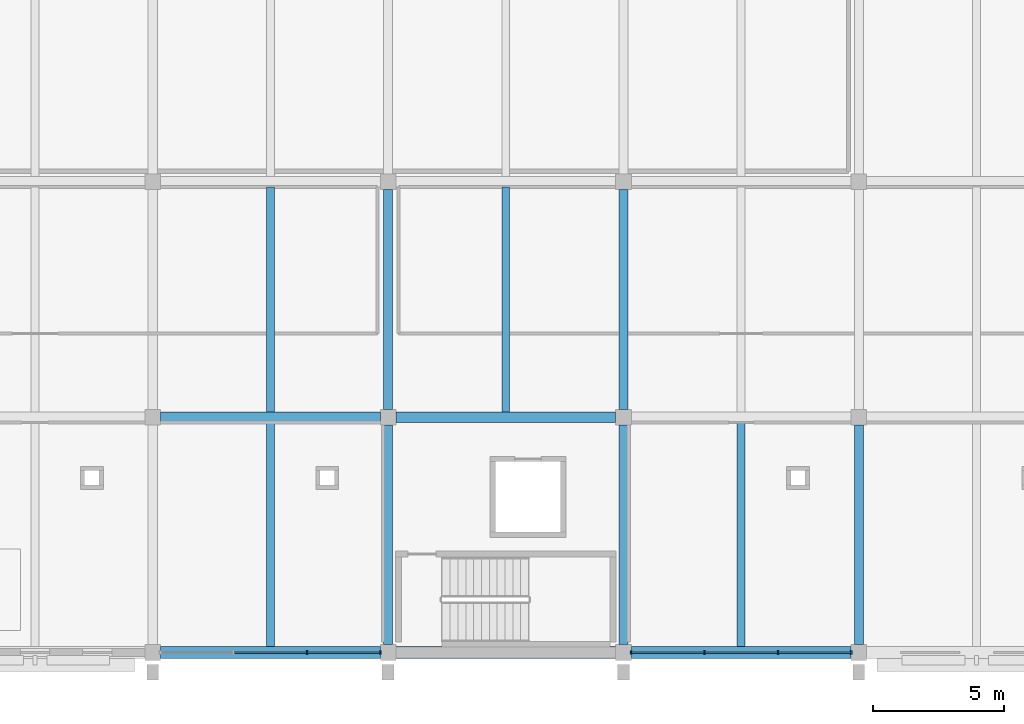
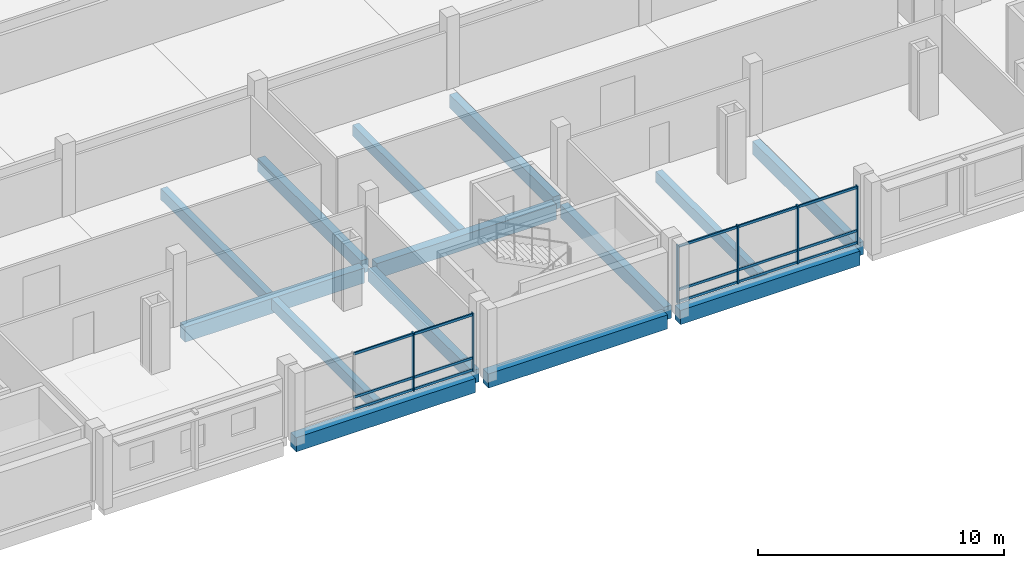
# One storey, part 11 of 163: 21 members, 14 beams, 2 elements without a shape of their own.
"""IFC4 building model written with IfcOpenShell, lengths in metres."""

from ifc_helpers import new_model, si_unit, direction, frame, origin, origin_2d, place, context, subcontext, project, spatial, rectangle, extrude, material, material_profile, profile_set, type_object, element, aggregate, save


model = new_model("IFC4")

# Units and contexts
model_context = context("Model", 3, precision=1e-05, world=origin(), true_north=direction((0.0, 1.0)))
body_context = subcontext(model_context, "Body", "Model", "MODEL_VIEW")
ifc_project = project(units=[si_unit("LENGTHUNIT", "METRE"), si_unit("AREAUNIT", "SQUARE_METRE"), si_unit("VOLUMEUNIT", "CUBIC_METRE"), si_unit("PLANEANGLEUNIT", "RADIAN"), si_unit("MASSUNIT", "GRAM", prefix="KILO")], contexts=[model_context])

# Site, building, storey
site_placement = place(None, origin())
site = spatial("IfcSite", under=ifc_project, at=site_placement, CompositionType="ELEMENT")
building_placement = place(site_placement, origin())
building = spatial("IfcBuilding", under=site, at=building_placement, Name="Tharagai Park Tramway Depot", CompositionType="ELEMENT")
storey_placement = place(building_placement, frame((0.0, 0.0, 8.39990234375)))
storey = spatial("IfcBuildingStorey", under=building, at=storey_placement, Name="L02", CompositionType="ELEMENT", Elevation=8.39990234375)

# Beams
ifc_material_1 = material(Name="Concrete M35", Category="concrete")
ifc_material_profile_1 = material_profile(ifc_material_1, rectangle(XDim=0.35009765625, YDim=0.64990234375, at=origin_2d()), Name="RC 350x650")
ifc_profile_set_1 = profile_set([ifc_material_profile_1], Name="Concrete M35")
beam_type_1 = type_object("IfcBeamType", Name="BM-13", PredefinedType="BEAM", material=ifc_profile_set_1)
for number, where, z_axis, x_axis, name in (
    (1, (36.0, 0.300048828125, -0.574951171875), (0.0, 1.0, 0.0), (-1.0, 0.0, 0.0), "L02 Grid Beam BM-13"),
    (2, (36.0, 9.300048828125, -0.574951171875), (0.0, 1.0, 0.0), (-1.0, 0.0, 0.0), "L02 Grid Beam BM-13"),
    (3, (45.0, 0.300048828125, -0.574951171875), (0.0, 1.0, 0.0), (-1.0, 0.0, 0.0), "L02 Grid Beam BM-13"),
    (4, (45.0, 9.300048828125, -0.574951171875), (0.0, 1.0, 0.0), (-1.0, 0.0, 0.0), "L02 Grid Beam BM-13"),
    (5, (54.0, 0.300048828125, -0.574951171875), (0.0, 1.0, 0.0), (-1.0, 0.0, 0.0), "L02 Grid Beam BM-13"),
):
    element("IfcBeam", number, at=place(storey_placement, frame(where, z_axis=z_axis, x_axis=x_axis)), inside=storey, type_object=beam_type_1, Name=name, PredefinedType="BEAM", context=body_context, shape_type="SweptSolid", body=[
        extrude(rectangle(XDim=0.35009765625, YDim=0.64990234375, at=origin_2d()), origin(), (0.0, 0.0, 1.0), 8.39990234375),
    ])
ifc_material_profile_2 = material_profile(ifc_material_1, rectangle(XDim=0.39990234375, YDim=0.75, at=origin_2d()), Name="RC 400x750")
ifc_profile_set_2 = profile_set([ifc_material_profile_2], Name="Concrete M35")
beam_type_2 = type_object("IfcBeamType", Name="BM-19", PredefinedType="BEAM", material=ifc_profile_set_2)
for number, where, z_axis, x_axis, name in (
    (6, (27.300048828125, 9.0, -0.625), (1.0, 0.0, 0.0), (0.0, 1.0, 0.0), "L02 Grid Beam BM-19"),
    (7, (36.300048828125, 9.0, -0.625), (1.0, 0.0, 0.0), (0.0, 1.0, 0.0), "L02 Grid Beam BM-19"),
):
    element("IfcBeam", number, at=place(storey_placement, frame(where, z_axis=z_axis, x_axis=x_axis)), inside=storey, type_object=beam_type_2, Name=name, PredefinedType="BEAM", context=body_context, shape_type="SweptSolid", body=[
        extrude(rectangle(XDim=0.39990234375, YDim=0.75, at=origin_2d()), origin(), (0.0, 0.0, 1.0), 8.39990234375),
    ])

# Curtain wall, members
ifc_material_2 = material(Name="Anodised aluminium", Category="aluminium")
curtain_wall_type = type_object("IfcCurtainWallType", Name="CW-02", PredefinedType="NOTDEFINED", material=ifc_material_2)
curtain_wall_1_placement = place(storey_placement, origin())
curtain_wall_1 = element("IfcCurtainWall", 8, at=curtain_wall_1_placement, inside=storey, type_object=curtain_wall_type, Name="L02 V4 Gothic Mullioned Curtain Wall CW-02", PredefinedType="NOTDEFINED")
ifc_material_profile_3 = material_profile(ifc_material_2, rectangle(XDim=0.06494140625, YDim=0.1201171875, at=origin_2d()), Name="ALU 65x120")
ifc_profile_set_3 = profile_set([ifc_material_profile_3], Name="Anodised aluminium")
member_type_1 = type_object("IfcMemberType", Name="CM-01", PredefinedType="USERDEFINED", material=ifc_profile_set_3)
member_1_placement = place(storey_placement, frame((30.111572265625, 0.0, 0.06005859375), z_axis=(1.0, 0.0, 0.0), x_axis=(0.0, 1.0, 0.0)))
member_1 = element("IfcMember", 9, at=member_1_placement, type_object=member_type_1, Name="L02 V4 Gothic Mullioned Curtain Wall Transom 2.1", ObjectType="TRANSOM", PredefinedType="USERDEFINED", context=body_context, shape_type="SweptSolid", body=[
    extrude(rectangle(XDim=0.06494140625, YDim=0.1201171875, at=origin_2d()), origin(), (0.0, 0.0, 1.0), 2.77685546875),
])
member_2_placement = place(storey_placement, frame((30.111572265625, 0.0, 0.650146484375), z_axis=(1.0, 0.0, 0.0), x_axis=(0.0, 1.0, 0.0)))
member_2 = element("IfcMember", 10, at=member_2_placement, type_object=member_type_1, Name="L02 V4 Gothic Mullioned Curtain Wall Transom 2.2", ObjectType="TRANSOM", PredefinedType="USERDEFINED", context=body_context, shape_type="SweptSolid", body=[
    extrude(rectangle(XDim=0.06494140625, YDim=0.1201171875, at=origin_2d()), origin(), (0.0, 0.0, 1.0), 2.77685546875),
])
member_3_placement = place(storey_placement, frame((30.111572265625, 0.0, 2.7900390625), z_axis=(1.0, 0.0, 0.0), x_axis=(0.0, 1.0, 0.0)))
member_3 = element("IfcMember", 11, at=member_3_placement, type_object=member_type_1, Name="L02 V4 Gothic Mullioned Curtain Wall Transom 2.3", ObjectType="TRANSOM", PredefinedType="USERDEFINED", context=body_context, shape_type="SweptSolid", body=[
    extrude(rectangle(XDim=0.06494140625, YDim=0.1201171875, at=origin_2d()), origin(), (0.0, 0.0, 1.0), 2.77685546875),
])
member_4_placement = place(storey_placement, frame((32.918212890625, 0.0, 0.06005859375), z_axis=(1.0, 0.0, 0.0), x_axis=(0.0, 1.0, 0.0)))
member_4 = element("IfcMember", 12, at=member_4_placement, type_object=member_type_1, Name="L02 V4 Gothic Mullioned Curtain Wall Transom 3.1", ObjectType="TRANSOM", PredefinedType="USERDEFINED", context=body_context, shape_type="SweptSolid", body=[
    extrude(rectangle(XDim=0.06494140625, YDim=0.1201171875, at=origin_2d()), origin(), (0.0, 0.0, 1.0), 2.77685546875),
])
member_5_placement = place(storey_placement, frame((32.918212890625, 0.0, 0.650146484375), z_axis=(1.0, 0.0, 0.0), x_axis=(0.0, 1.0, 0.0)))
member_5 = element("IfcMember", 13, at=member_5_placement, type_object=member_type_1, Name="L02 V4 Gothic Mullioned Curtain Wall Transom 3.2", ObjectType="TRANSOM", PredefinedType="USERDEFINED", context=body_context, shape_type="SweptSolid", body=[
    extrude(rectangle(XDim=0.06494140625, YDim=0.1201171875, at=origin_2d()), origin(), (0.0, 0.0, 1.0), 2.77685546875),
])
member_6_placement = place(storey_placement, frame((32.918212890625, 0.0, 2.7900390625), z_axis=(1.0, 0.0, 0.0), x_axis=(0.0, 1.0, 0.0)))
member_6 = element("IfcMember", 14, at=member_6_placement, type_object=member_type_1, Name="L02 V4 Gothic Mullioned Curtain Wall Transom 3.3", ObjectType="TRANSOM", PredefinedType="USERDEFINED", context=body_context, shape_type="SweptSolid", body=[
    extrude(rectangle(XDim=0.06494140625, YDim=0.1201171875, at=origin_2d()), origin(), (0.0, 0.0, 1.0), 2.77685546875),
])

curtain_wall_2_placement = place(storey_placement, origin())
curtain_wall_2 = element("IfcCurtainWall", 15, at=curtain_wall_2_placement, inside=storey, type_object=curtain_wall_type, Name="L02 V4 Gothic Mullioned Curtain Wall CW-02", PredefinedType="NOTDEFINED")
member_7_placement = place(storey_placement, frame((45.304931640625, 0.0, 0.06005859375), z_axis=(1.0, 0.0, 0.0), x_axis=(0.0, 1.0, 0.0)))
member_7 = element("IfcMember", 16, at=member_7_placement, type_object=member_type_1, Name="L02 V4 Gothic Mullioned Curtain Wall Transom 1.1", ObjectType="TRANSOM", PredefinedType="USERDEFINED", context=body_context, shape_type="SweptSolid", body=[
    extrude(rectangle(XDim=0.06494140625, YDim=0.1201171875, at=origin_2d()), origin(), (0.0, 0.0, 1.0), 2.77685546875),
])
member_8_placement = place(storey_placement, frame((45.304931640625, 0.0, 0.650146484375), z_axis=(1.0, 0.0, 0.0), x_axis=(0.0, 1.0, 0.0)))
member_8 = element("IfcMember", 17, at=member_8_placement, type_object=member_type_1, Name="L02 V4 Gothic Mullioned Curtain Wall Transom 1.2", ObjectType="TRANSOM", PredefinedType="USERDEFINED", context=body_context, shape_type="SweptSolid", body=[
    extrude(rectangle(XDim=0.06494140625, YDim=0.1201171875, at=origin_2d()), origin(), (0.0, 0.0, 1.0), 2.77685546875),
])
member_9_placement = place(storey_placement, frame((45.304931640625, 0.0, 2.7900390625), z_axis=(1.0, 0.0, 0.0), x_axis=(0.0, 1.0, 0.0)))
member_9 = element("IfcMember", 18, at=member_9_placement, type_object=member_type_1, Name="L02 V4 Gothic Mullioned Curtain Wall Transom 1.3", ObjectType="TRANSOM", PredefinedType="USERDEFINED", context=body_context, shape_type="SweptSolid", body=[
    extrude(rectangle(XDim=0.06494140625, YDim=0.1201171875, at=origin_2d()), origin(), (0.0, 0.0, 1.0), 2.77685546875),
])
member_10_placement = place(storey_placement, frame((48.111572265625, 0.0, 0.06005859375), z_axis=(1.0, 0.0, 0.0), x_axis=(0.0, 1.0, 0.0)))
member_10 = element("IfcMember", 19, at=member_10_placement, type_object=member_type_1, Name="L02 V4 Gothic Mullioned Curtain Wall Transom 2.1", ObjectType="TRANSOM", PredefinedType="USERDEFINED", context=body_context, shape_type="SweptSolid", body=[
    extrude(rectangle(XDim=0.06494140625, YDim=0.1201171875, at=origin_2d()), origin(), (0.0, 0.0, 1.0), 2.77685546875),
])
member_11_placement = place(storey_placement, frame((48.111572265625, 0.0, 0.650146484375), z_axis=(1.0, 0.0, 0.0), x_axis=(0.0, 1.0, 0.0)))
member_11 = element("IfcMember", 20, at=member_11_placement, type_object=member_type_1, Name="L02 V4 Gothic Mullioned Curtain Wall Transom 2.2", ObjectType="TRANSOM", PredefinedType="USERDEFINED", context=body_context, shape_type="SweptSolid", body=[
    extrude(rectangle(XDim=0.06494140625, YDim=0.1201171875, at=origin_2d()), origin(), (0.0, 0.0, 1.0), 2.77685546875),
])
member_12_placement = place(storey_placement, frame((48.111572265625, 0.0, 2.7900390625), z_axis=(1.0, 0.0, 0.0), x_axis=(0.0, 1.0, 0.0)))
member_12 = element("IfcMember", 21, at=member_12_placement, type_object=member_type_1, Name="L02 V4 Gothic Mullioned Curtain Wall Transom 2.3", ObjectType="TRANSOM", PredefinedType="USERDEFINED", context=body_context, shape_type="SweptSolid", body=[
    extrude(rectangle(XDim=0.06494140625, YDim=0.1201171875, at=origin_2d()), origin(), (0.0, 0.0, 1.0), 2.77685546875),
])
member_13_placement = place(storey_placement, frame((50.918212890625, 0.0, 0.06005859375), z_axis=(1.0, 0.0, 0.0), x_axis=(0.0, 1.0, 0.0)))
member_13 = element("IfcMember", 22, at=member_13_placement, type_object=member_type_1, Name="L02 V4 Gothic Mullioned Curtain Wall Transom 3.1", ObjectType="TRANSOM", PredefinedType="USERDEFINED", context=body_context, shape_type="SweptSolid", body=[
    extrude(rectangle(XDim=0.06494140625, YDim=0.1201171875, at=origin_2d()), origin(), (0.0, 0.0, 1.0), 2.77685546875),
])
member_14_placement = place(storey_placement, frame((50.918212890625, 0.0, 0.650146484375), z_axis=(1.0, 0.0, 0.0), x_axis=(0.0, 1.0, 0.0)))
member_14 = element("IfcMember", 23, at=member_14_placement, type_object=member_type_1, Name="L02 V4 Gothic Mullioned Curtain Wall Transom 3.2", ObjectType="TRANSOM", PredefinedType="USERDEFINED", context=body_context, shape_type="SweptSolid", body=[
    extrude(rectangle(XDim=0.06494140625, YDim=0.1201171875, at=origin_2d()), origin(), (0.0, 0.0, 1.0), 2.77685546875),
])
member_15_placement = place(storey_placement, frame((50.918212890625, 0.0, 2.7900390625), z_axis=(1.0, 0.0, 0.0), x_axis=(0.0, 1.0, 0.0)))
member_15 = element("IfcMember", 24, at=member_15_placement, type_object=member_type_1, Name="L02 V4 Gothic Mullioned Curtain Wall Transom 3.3", ObjectType="TRANSOM", PredefinedType="USERDEFINED", context=body_context, shape_type="SweptSolid", body=[
    extrude(rectangle(XDim=0.06494140625, YDim=0.1201171875, at=origin_2d()), origin(), (0.0, 0.0, 1.0), 2.77685546875),
])

# Member
ifc_material_profile_4 = material_profile(ifc_material_2, rectangle(XDim=0.06494140625, YDim=0.14990234375, at=origin_2d()), Name="ALU 65x150")
ifc_profile_set_4 = profile_set([ifc_material_profile_4], Name="Anodised aluminium")
member_type_2 = type_object("IfcMemberType", Name="CM-03", PredefinedType="MULLION", material=ifc_profile_set_4)
member_16_placement = place(storey_placement, frame((32.9033203125, 0.0, -0.0048828125), z_axis=(0.0, 0.0, 1.0), x_axis=(1.0, 0.0, 0.0)))
member_16 = element("IfcMember", 25, at=member_16_placement, type_object=member_type_2, Name="L02 V4 Gothic Mullioned Curtain Wall Mullion 3", PredefinedType="MULLION", context=body_context, shape_type="SweptSolid", body=[
    extrude(rectangle(XDim=0.06494140625, YDim=0.14990234375, at=origin_2d()), origin(), (0.0, 0.0, 1.0), 2.8798828125),
])

member_17_placement = place(storey_placement, frame((35.7099609375, 0.0, -0.0048828125), z_axis=(0.0, 0.0, 1.0), x_axis=(1.0, 0.0, 0.0)))
member_17 = element("IfcMember", 26, at=member_17_placement, type_object=member_type_2, Name="L02 V4 Gothic Mullioned Curtain Wall Mullion 4", PredefinedType="MULLION", context=body_context, shape_type="SweptSolid", body=[
    extrude(rectangle(XDim=0.06494140625, YDim=0.14990234375, at=origin_2d()), origin(), (0.0, 0.0, 1.0), 2.8798828125),
])

aggregate(curtain_wall_1, [member_16, member_17, member_1, member_2, member_3, member_4, member_5, member_6])

member_18_placement = place(storey_placement, frame((45.2900390625, 0.0, -0.0048828125), z_axis=(0.0, 0.0, 1.0), x_axis=(1.0, 0.0, 0.0)))
member_18 = element("IfcMember", 27, at=member_18_placement, type_object=member_type_2, Name="L02 V4 Gothic Mullioned Curtain Wall Mullion 1", PredefinedType="MULLION", context=body_context, shape_type="SweptSolid", body=[
    extrude(rectangle(XDim=0.06494140625, YDim=0.14990234375, at=origin_2d()), origin(), (0.0, 0.0, 1.0), 2.8798828125),
])

member_19_placement = place(storey_placement, frame((48.0966796875, 0.0, -0.0048828125), z_axis=(0.0, 0.0, 1.0), x_axis=(1.0, 0.0, 0.0)))
member_19 = element("IfcMember", 28, at=member_19_placement, type_object=member_type_2, Name="L02 V4 Gothic Mullioned Curtain Wall Mullion 2", PredefinedType="MULLION", context=body_context, shape_type="SweptSolid", body=[
    extrude(rectangle(XDim=0.06494140625, YDim=0.14990234375, at=origin_2d()), origin(), (0.0, 0.0, 1.0), 2.8798828125),
])

member_20_placement = place(storey_placement, frame((50.9033203125, 0.0, -0.0048828125), z_axis=(0.0, 0.0, 1.0), x_axis=(1.0, 0.0, 0.0)))
member_20 = element("IfcMember", 29, at=member_20_placement, type_object=member_type_2, Name="L02 V4 Gothic Mullioned Curtain Wall Mullion 3", PredefinedType="MULLION", context=body_context, shape_type="SweptSolid", body=[
    extrude(rectangle(XDim=0.06494140625, YDim=0.14990234375, at=origin_2d()), origin(), (0.0, 0.0, 1.0), 2.8798828125),
])

member_21_placement = place(storey_placement, frame((53.7099609375, 0.0, -0.0048828125), z_axis=(0.0, 0.0, 1.0), x_axis=(1.0, 0.0, 0.0)))
member_21 = element("IfcMember", 30, at=member_21_placement, type_object=member_type_2, Name="L02 V4 Gothic Mullioned Curtain Wall Mullion 4", PredefinedType="MULLION", context=body_context, shape_type="SweptSolid", body=[
    extrude(rectangle(XDim=0.06494140625, YDim=0.14990234375, at=origin_2d()), origin(), (0.0, 0.0, 1.0), 2.8798828125),
])

aggregate(curtain_wall_2, [member_18, member_19, member_20, member_21, member_7, member_8, member_9, member_10, member_11, member_12, member_13, member_14, member_15])

# Beams
ifc_material_profile_5 = material_profile(ifc_material_1, rectangle(XDim=0.300048828125, YDim=0.550048828125, at=origin_2d()), Name="RC 300x550")
ifc_profile_set_5 = profile_set([ifc_material_profile_5], Name="Concrete M35")
beam_type_3 = type_object("IfcBeamType", Name="JT-06", PredefinedType="JOIST", material=ifc_profile_set_5)
beam_1_placement = place(storey_placement, frame((31.5, 0.22509765625, -0.52490234375), z_axis=(0.0, 1.0, 0.0), x_axis=(-1.0, 0.0, 0.0)))
element("IfcBeam", 31, at=beam_1_placement, inside=storey, type_object=beam_type_3, Name="L02 Secondary Joist JT-06", PredefinedType="JOIST", context=body_context, shape_type="SweptSolid", body=[
    extrude(rectangle(XDim=0.300048828125, YDim=0.550048828125, at=origin_2d()), origin(), (0.0, 0.0, 1.0), 8.574951171875),
])
for number, where, z_axis, x_axis, name in (
    (32, (31.5, 9.199951171875, -0.52490234375), (0.0, 1.0, 0.0), (-1.0, 0.0, 0.0), "L02 Secondary Joist JT-06"),
    (33, (40.5, 9.199951171875, -0.52490234375), (0.0, 1.0, 0.0), (-1.0, 0.0, 0.0), "L02 Secondary Joist JT-06"),
):
    element("IfcBeam", number, at=place(storey_placement, frame(where, z_axis=z_axis, x_axis=x_axis)), inside=storey, type_object=beam_type_3, Name=name, PredefinedType="JOIST", context=body_context, shape_type="SweptSolid", body=[
        extrude(rectangle(XDim=0.300048828125, YDim=0.550048828125, at=origin_2d()), origin(), (0.0, 0.0, 1.0), 8.60009765625),
    ])
beam_2_placement = place(storey_placement, frame((49.5, 0.22509765625, -0.52490234375), z_axis=(0.0, 1.0, 0.0), x_axis=(-1.0, 0.0, 0.0)))
element("IfcBeam", 34, at=beam_2_placement, inside=storey, type_object=beam_type_3, Name="L02 Secondary Joist JT-06", PredefinedType="JOIST", context=body_context, shape_type="SweptSolid", body=[
    extrude(rectangle(XDim=0.300048828125, YDim=0.550048828125, at=origin_2d()), origin(), (0.0, 0.0, 1.0), 8.574951171875),
])
ifc_material_profile_6 = material_profile(ifc_material_1, rectangle(XDim=0.449951171875, YDim=0.699951171875, at=origin_2d()), Name="RC 450x700")
ifc_profile_set_6 = profile_set([ifc_material_profile_6], Name="Concrete M35")
beam_type_4 = type_object("IfcBeamType", Name="SP-01", PredefinedType="SPANDREL", material=ifc_profile_set_6)
for number, where, z_axis, x_axis, name in (
    (35, (27.300048828125, 0.0, -0.599853515625), (1.0, 0.0, 0.0), (0.0, 1.0, 0.0), "L02 Grid Beam SP-01"),
    (36, (36.300048828125, 0.0, -0.599853515625), (1.0, 0.0, 0.0), (0.0, 1.0, 0.0), "L02 Grid Beam SP-01"),
    (37, (45.300048828125, 0.0, -0.599853515625), (1.0, 0.0, 0.0), (0.0, 1.0, 0.0), "L02 Grid Beam SP-01"),
):
    element("IfcBeam", number, at=place(storey_placement, frame(where, z_axis=z_axis, x_axis=x_axis)), inside=storey, type_object=beam_type_4, Name=name, PredefinedType="SPANDREL", context=body_context, shape_type="SweptSolid", body=[
        extrude(rectangle(XDim=0.449951171875, YDim=0.699951171875, at=origin_2d()), origin(), (0.0, 0.0, 1.0), 8.39990234375),
    ])

save(model, "model.ifc")
